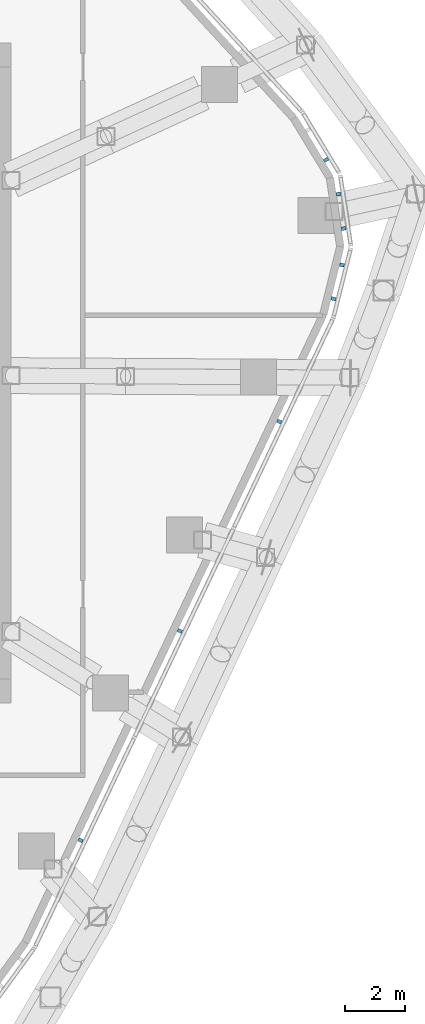
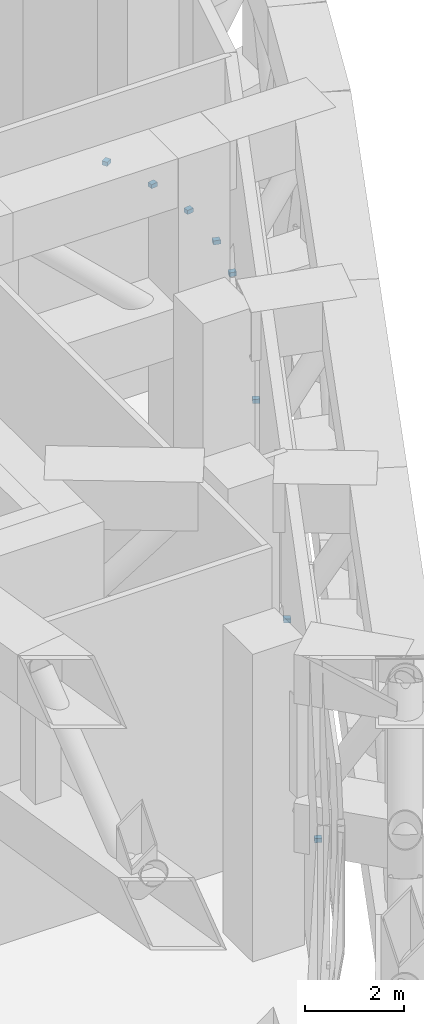
# One storey, part 16 of 21: 8 discrete accessories, 2 elements without a shape of their own.
"""IFC4 building model written with IfcOpenShell, lengths in metres."""

import ifcopenshell
import ifcopenshell.guid

model = None  # the IFC model being written
_history = None  # IfcOwnerHistory: only IFC2X3 demands one
_inside = {}  # id of a spatial element -> (the spatial element, [elements in it])
_under = {}  # id of a project, library or spatial element -> (it, [spatial elements below it])
_declared = {}  # id of a project -> (the project, [libraries it declares])
_typed = {}  # id of a type object -> (the type object, [elements of that type])
_made_of = {}  # id of a material, layer set ... -> (it, [elements and type objects made of it])


def new_model(schema):
    """Start an empty IFC model of exactly this schema.

    Asked for "IFC4X3", IfcOpenShell would pick the latest addendum, in which some entities
    have other attributes; the version numbers below select the first issue.
    IFC2X3 requires an IfcOwnerHistory on every rooted entity: one is made here for all.
    """
    global model, _history
    if schema == "IFC4X3":
        model = ifcopenshell.file(schema_version=(4, 3, 0, 0))
    else:
        model = ifcopenshell.file(schema=schema)
    _inside.clear()
    _under.clear()
    _declared.clear()
    _typed.clear()
    _made_of.clear()
    _history = None
    if model.schema == "IFC2X3":
        org = make("IfcOrganization", Name="unknown")
        user = make(
            "IfcPersonAndOrganization",
            ThePerson=make("IfcPerson", FamilyName="unknown"),
            TheOrganization=org,
        )
        app = make(
            "IfcApplication",
            ApplicationDeveloper=org,
            Version="unknown",
            ApplicationFullName="unknown",
            ApplicationIdentifier="unknown",
        )
        _history = make(
            "IfcOwnerHistory",
            OwningUser=user,
            OwningApplication=app,
            ChangeAction="ADDED",
            CreationDate=0,
        )
    return model


def make(cls, **values):
    """One entity of the class cls with the attributes given. An attribute that is None is left unset."""
    return model.create_entity(
        cls, **{name: value for name, value in values.items() if value is not None}
    )


def rooted(cls, **values):
    """An entity with a GlobalId (a new one), such as an element, a storey or a relation."""
    return make(cls, GlobalId=ifcopenshell.guid.new(), OwnerHistory=_history, **values)


def si_unit(unit_type, name, prefix=None):
    """IfcSIUnit, for example si_unit("LENGTHUNIT", "METRE", prefix="MILLI")."""
    return make("IfcSIUnit", UnitType=unit_type, Prefix=prefix, Name=name)


def assignment(units):
    """IfcUnitAssignment: the units of a project."""
    return None if units is None else make("IfcUnitAssignment", Units=units)


def point(xyz):
    """IfcCartesianPoint."""
    return None if xyz is None else make("IfcCartesianPoint", Coordinates=xyz)


def direction(xyz):
    """IfcDirection."""
    return None if xyz is None else make("IfcDirection", DirectionRatios=xyz)


def frame(location, z_axis=None, x_axis=None):
    """IfcAxis2Placement3D, a coordinate frame: its origin and axes. An axis left out is left unset."""
    return make(
        "IfcAxis2Placement3D",
        Location=point(location),
        Axis=direction(z_axis),
        RefDirection=direction(x_axis),
    )


def frame_2d(location, x_axis=None):
    """IfcAxis2Placement2D, a coordinate frame in the plane: its origin and x axis."""
    return make(
        "IfcAxis2Placement2D", Location=point(location), RefDirection=direction(x_axis)
    )


def origin():
    """The frame at (0, 0, 0) with its axes left unset."""
    return frame((0.0, 0.0, 0.0))


def origin_2d():
    """The frame at (0, 0) in the plane with its x axis left unset."""
    return frame_2d((0.0, 0.0))


def place(relative_to, where):
    """IfcLocalPlacement: puts the frame where relative to a parent placement (None: the world)."""
    return make(
        "IfcLocalPlacement", PlacementRelTo=relative_to, RelativePlacement=where
    )


def context(
    kind, dimensions, precision=None, world=None, true_north=None, identifier=None
):
    """IfcGeometricRepresentationContext, for example the 3D "Model" context."""
    return make(
        "IfcGeometricRepresentationContext",
        ContextIdentifier=identifier,
        ContextType=kind,
        CoordinateSpaceDimension=dimensions,
        Precision=precision,
        WorldCoordinateSystem=world,
        TrueNorth=true_north,
    )


def subcontext(parent, identifier, kind, view, scale=None):
    """IfcGeometricRepresentationSubContext, for example "Body" below "Model"."""
    return make(
        "IfcGeometricRepresentationSubContext",
        ContextIdentifier=identifier,
        ContextType=kind,
        ParentContext=parent,
        TargetScale=scale,
        TargetView=view,
    )


def project(units=None, contexts=None):
    """IfcProject with its units and contexts."""
    return rooted(
        "IfcProject",
        Name="project",
        RepresentationContexts=contexts,
        UnitsInContext=assignment(units),
    )


def spatial(cls, under=None, at=None, **own):
    """A site, building, storey or space (cls), placed at a placement, below another one or the project."""
    s = rooted(cls, ObjectPlacement=at, **own)
    if under is not None:
        _under.setdefault(under.id(), (under, []))[1].append(s)
    return s


def profile(cls, at=None, kind="AREA", **sizes):
    """A parametric profile (cls). Its sizes go by their IFC names, for example OverallWidth=200.0."""
    return make(cls, ProfileType=kind, Position=at, **sizes)


def rectangle(**sizes):
    """IfcRectangleProfileDef."""
    return profile("IfcRectangleProfileDef", **sizes)


def extrude(swept, where, along, depth):
    """IfcExtrudedAreaSolid: the profile swept, set in the frame where, extruded along a direction by depth."""
    return make(
        "IfcExtrudedAreaSolid",
        SweptArea=swept,
        Position=where,
        ExtrudedDirection=direction(along),
        Depth=depth,
    )


def shape(context_of_items, identifier, shape_type, items):
    """IfcShapeRepresentation: the items that make up one representation, for example the "Body"."""
    return make(
        "IfcShapeRepresentation",
        ContextOfItems=context_of_items,
        RepresentationIdentifier=identifier,
        RepresentationType=shape_type,
        Items=items,
    )


def material(Name=None, Category=None):
    """IfcMaterial."""
    return make("IfcMaterial", Name=Name, Category=Category)


def layer(
    of_material, thickness, ventilated=None, Name=None, Category=None, Priority=None
):
    """IfcMaterialLayer: one layer of a wall or slab, of a material (None: an air gap)."""
    return make(
        "IfcMaterialLayer",
        Material=of_material,
        LayerThickness=thickness,
        IsVentilated=ventilated,
        Name=Name,
        Category=Category,
        Priority=Priority,
    )


def layer_set(layers, Name=None):
    """IfcMaterialLayerSet."""
    return make("IfcMaterialLayerSet", MaterialLayers=layers, LayerSetName=Name)


def made_of(thing, what):
    """Note that an element or type object is made of a material, layer set ...; save() writes the relation."""
    if what is not None:
        _made_of.setdefault(what.id(), (what, []))[1].append(thing)
    return thing


def type_object(cls, material=None, **own):
    """A type object (cls), such as IfcWallType, which elements share."""
    return made_of(rooted(cls, **own), material)


def element(
    cls,
    number,
    at=None,
    inside=None,
    cuts=None,
    type_object=None,
    material=None,
    context=None,
    identifier="Body",
    shape_type=None,
    held_by="IfcProductDefinitionShape",
    body=None,
    shapes=None,
    **own,
):
    """One element of the class cls, such as IfcWall. Its Tag is "e" and its number.

    at: its placement. inside: the storey or other place that contains it. cuts: it is an
    opening in that element (IfcRelVoidsElement). A single representation is given by context,
    identifier, shape_type and body (its items); several are given by shapes. held_by: the class
    of the entity that holds the representations. save() writes the other relations.
    """
    e = rooted(cls, Tag="e%d" % number, ObjectPlacement=at, **own)
    if body is not None:
        shapes = [shape(context, identifier, shape_type, body)]
    if shapes is not None:
        e.Representation = make(held_by, Representations=shapes)
    if inside is not None:
        _inside.setdefault(inside.id(), (inside, []))[1].append(e)
    if cuts is not None:
        rooted(
            "IfcRelVoidsElement", RelatingBuildingElement=cuts, RelatedOpeningElement=e
        )
    if type_object is not None:
        _typed.setdefault(type_object.id(), (type_object, []))[1].append(e)
    return made_of(e, material)


def aggregate(whole, parts):
    """IfcRelAggregates: a whole, such as a stair, and the parts it consists of."""
    return rooted("IfcRelAggregates", RelatingObject=whole, RelatedObjects=parts)


def save(model, path):
    """Write the relations noted so far, then the file.

    IfcRelAggregates (storeys below a building ...), IfcRelContainedInSpatialStructure (elements
    in a storey), IfcRelDefinesByType, IfcRelAssociatesMaterial and IfcRelDeclares: one each for
    every whole, place, type object, material and project.
    """
    for whole, parts in _under.values():
        aggregate(whole, parts)
    for where, things in _inside.values():
        rooted(
            "IfcRelContainedInSpatialStructure",
            RelatedElements=things,
            RelatingStructure=where,
        )
    for kind, things in _typed.values():
        rooted("IfcRelDefinesByType", RelatedObjects=things, RelatingType=kind)
    for what, things in _made_of.values():
        rooted("IfcRelAssociatesMaterial", RelatedObjects=things, RelatingMaterial=what)
    for by, libraries in _declared.values():
        rooted("IfcRelDeclares", RelatingContext=by, RelatedDefinitions=libraries)
    model.write(path)


model = new_model("IFC4")

# Units and contexts
model_context = context("Model", 3, precision=1e-05, world=origin(), true_north=direction((0.0, 1.0)))
body_context = subcontext(model_context, "Body", "Model", "MODEL_VIEW")
ifc_project = project(units=[si_unit("LENGTHUNIT", "METRE"), si_unit("AREAUNIT", "SQUARE_METRE"), si_unit("VOLUMEUNIT", "CUBIC_METRE"), si_unit("PLANEANGLEUNIT", "RADIAN"), si_unit("MASSUNIT", "GRAM", prefix="KILO")], contexts=[model_context])

# Site, building, storey
site_placement = place(None, origin())
site = spatial("IfcSite", under=ifc_project, at=site_placement, CompositionType="ELEMENT")
building_placement = place(site_placement, origin())
building = spatial("IfcBuilding", under=site, at=building_placement, Name="Dongbaek Canopy Tower", CompositionType="ELEMENT")
storey_placement = place(building_placement, frame((0.0, 0.0, 220.60009765625)))
storey = spatial("IfcBuildingStorey", under=building, at=storey_placement, Name="L46", CompositionType="ELEMENT", Elevation=220.60009765625)

# Curtain wall, discrete accessories
ifc_material_1 = material(Name="Aluminium 6063-T6 pale anodised", Category="aluminium")
ifc_layer = layer(ifc_material_1, 0.14990234375)
ifc_layer_set = layer_set([ifc_layer], Name="CW-7 louvre curtain wall")
curtain_wall_type = type_object("IfcCurtainWallType", Name="CW-7 louvre curtain wall", PredefinedType="NOTDEFINED", material=ifc_layer_set)
curtain_wall_1_placement = place(storey_placement, origin())
curtain_wall_1 = element("IfcCurtainWall", 1, at=curtain_wall_1_placement, inside=storey, type_object=curtain_wall_type, Name="CW-7 louvre wall L46 K0", PredefinedType="NOTDEFINED")
ifc_material_2 = material(Name="Galvanised steel S355 bracket", Category="steel")
discrete_accessory_type = type_object("IfcDiscreteAccessoryType", Name="Louvre bracket BR1", PredefinedType="BRACKET", material=ifc_material_2)
discrete_accessory_1_placement = place(storey_placement, frame((24.757080078125, 2.4765625, 1.664794921875), z_axis=(0.0, 0.0, 1.0), x_axis=(0.242808159249, 0.970074325916, 0.0)))
discrete_accessory_1 = element("IfcDiscreteAccessory", 2, at=discrete_accessory_1_placement, type_object=discrete_accessory_type, Name="Louvre bracket L46 K0.1.1", PredefinedType="BRACKET", context=body_context, shape_type="SweptSolid", body=[
    extrude(rectangle(XDim=0.1201171875, YDim=0.14990234375, at=origin_2d()), origin(), (0.0, 0.0, 1.0), 0.10009765625),
])
discrete_accessory_2_placement = place(storey_placement, frame((25.039306640625, 3.604736328125, 1.664794921875), z_axis=(0.0, 0.0, 1.0), x_axis=(0.242808159249, 0.970074325916, 0.0)))
discrete_accessory_2 = element("IfcDiscreteAccessory", 3, at=discrete_accessory_2_placement, type_object=discrete_accessory_type, Name="Louvre bracket L46 K0.1.2", PredefinedType="BRACKET", context=body_context, shape_type="SweptSolid", body=[
    extrude(rectangle(XDim=0.1201171875, YDim=0.14990234375, at=origin_2d()), origin(), (0.0, 0.0, 1.0), 0.10009765625),
])
discrete_accessory_3_placement = place(storey_placement, frame((25.097900390625, 4.81982421875, 1.664794921875), z_axis=(0.0, 0.0, 1.0), x_axis=(-0.149423746868, 0.988773252001, 0.0)))
discrete_accessory_3 = element("IfcDiscreteAccessory", 4, at=discrete_accessory_3_placement, type_object=discrete_accessory_type, Name="Louvre bracket L46 K0.2.1", PredefinedType="BRACKET", context=body_context, shape_type="SweptSolid", body=[
    extrude(rectangle(XDim=0.1201171875, YDim=0.14990234375, at=origin_2d()), origin(), (0.0, 0.0, 1.0), 0.10009765625),
])
discrete_accessory_4_placement = place(storey_placement, frame((24.9248046875, 5.96484375, 1.664794921875), z_axis=(0.0, 0.0, 1.0), x_axis=(-0.149423746868, 0.988773252001, 0.0)))
discrete_accessory_4 = element("IfcDiscreteAccessory", 5, at=discrete_accessory_4_placement, type_object=discrete_accessory_type, Name="Louvre bracket L46 K0.2.2", PredefinedType="BRACKET", context=body_context, shape_type="SweptSolid", body=[
    extrude(rectangle(XDim=0.1201171875, YDim=0.14990234375, at=origin_2d()), origin(), (0.0, 0.0, 1.0), 0.10009765625),
])
discrete_accessory_5_placement = place(storey_placement, frame((24.510009765625, 7.1083984375, 1.664794921875), z_axis=(0.0, 0.0, 1.0), x_axis=(-0.518615180918, 0.855007774305, 0.0)))
discrete_accessory_5 = element("IfcDiscreteAccessory", 6, at=discrete_accessory_5_placement, type_object=discrete_accessory_type, Name="Louvre bracket L46 K0.3.1", PredefinedType="BRACKET", context=body_context, shape_type="SweptSolid", body=[
    extrude(rectangle(XDim=0.1201171875, YDim=0.14990234375, at=origin_2d()), origin(), (0.0, 0.0, 1.0), 0.10009765625),
])
aggregate(curtain_wall_1, [discrete_accessory_1, discrete_accessory_2, discrete_accessory_3, discrete_accessory_4, discrete_accessory_5])

curtain_wall_2_placement = place(storey_placement, origin())
curtain_wall_2 = element("IfcCurtainWall", 7, at=curtain_wall_2_placement, inside=storey, type_object=curtain_wall_type, Name="CW-7 louvre wall L46 F5", PredefinedType="NOTDEFINED")
discrete_accessory_6_placement = place(storey_placement, frame((16.32763671875, -15.5712890625, 1.664794921875), z_axis=(0.0, 0.0, 1.0), x_axis=(0.428545293248, 0.903520299515, 0.0)))
discrete_accessory_6 = element("IfcDiscreteAccessory", 8, at=discrete_accessory_6_placement, type_object=discrete_accessory_type, Name="Louvre bracket L46 F5.1.1", PredefinedType="BRACKET", context=body_context, shape_type="SweptSolid", body=[
    extrude(rectangle(XDim=0.1201171875, YDim=0.14990234375, at=origin_2d()), origin(), (0.0, 0.0, 1.0), 0.10009765625),
])
discrete_accessory_7_placement = place(storey_placement, frame((19.637451171875, -8.592529296875, 1.664794921875), z_axis=(0.0, 0.0, 1.0), x_axis=(0.428545293248, 0.903520299515, 0.0)))
discrete_accessory_7 = element("IfcDiscreteAccessory", 9, at=discrete_accessory_7_placement, type_object=discrete_accessory_type, Name="Louvre bracket L46 F5.1.2", PredefinedType="BRACKET", context=body_context, shape_type="SweptSolid", body=[
    extrude(rectangle(XDim=0.1201171875, YDim=0.14990234375, at=origin_2d()), origin(), (0.0, 0.0, 1.0), 0.10009765625),
])
discrete_accessory_8_placement = place(storey_placement, frame((22.947509765625, -1.614013671875, 1.664794921875), z_axis=(0.0, 0.0, 1.0), x_axis=(0.428545293248, 0.903520299515, 0.0)))
discrete_accessory_8 = element("IfcDiscreteAccessory", 10, at=discrete_accessory_8_placement, type_object=discrete_accessory_type, Name="Louvre bracket L46 F5.1.3", PredefinedType="BRACKET", context=body_context, shape_type="SweptSolid", body=[
    extrude(rectangle(XDim=0.1201171875, YDim=0.14990234375, at=origin_2d()), origin(), (0.0, 0.0, 1.0), 0.10009765625),
])
aggregate(curtain_wall_2, [discrete_accessory_6, discrete_accessory_7, discrete_accessory_8])

save(model, "model.ifc")
